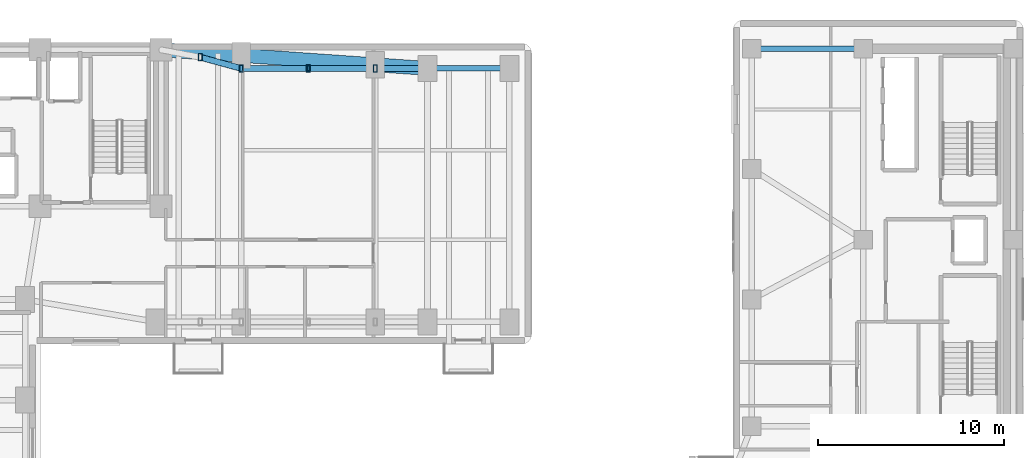
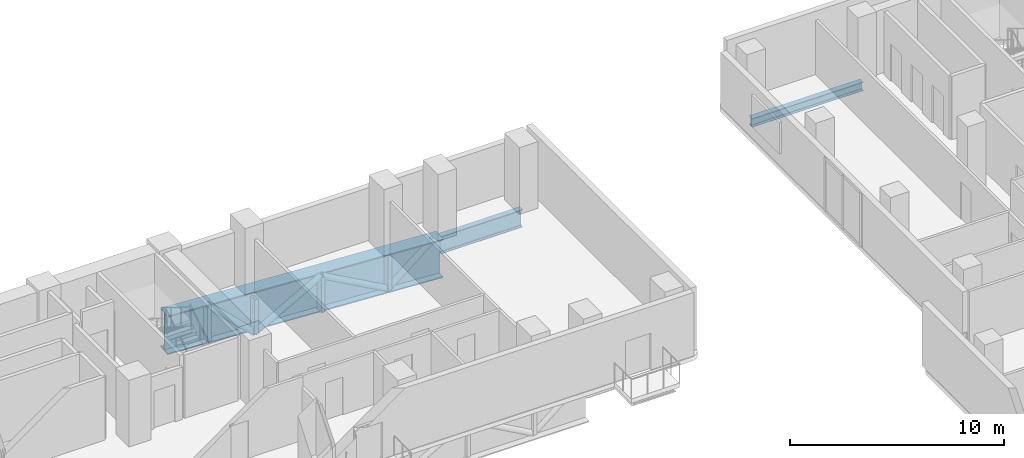
# One storey, part 6 of 15: 8 members, 3 beams.
"""IFC4 building model written with IfcOpenShell, lengths in metres."""

from ifc_helpers import new_model, si_unit, direction, frame, origin, origin_2d, place, context, subcontext, project, spatial, hollow_rectangle, hollow_circle, i_section, extrude, material, material_profile, profile_set, type_object, element, save


model = new_model("IFC4")

# Units and contexts
model_context = context("Model", 3, precision=1e-05, world=origin(), true_north=direction((0.0, 1.0)))
body_context = subcontext(model_context, "Body", "Model", "MODEL_VIEW")
ifc_project = project(units=[si_unit("LENGTHUNIT", "METRE"), si_unit("AREAUNIT", "SQUARE_METRE"), si_unit("VOLUMEUNIT", "CUBIC_METRE"), si_unit("PLANEANGLEUNIT", "RADIAN"), si_unit("MASSUNIT", "GRAM", prefix="KILO")], contexts=[model_context])

# Site, building, storey
site_placement = place(None, origin())
site = spatial("IfcSite", under=ifc_project, at=site_placement, CompositionType="ELEMENT")
building_placement = place(site_placement, origin())
building = spatial("IfcBuilding", under=site, at=building_placement, Name="Kuzgunbayir Cultural Tower", CompositionType="ELEMENT")
storey_placement = place(building_placement, frame((0.0, 0.0, 39.800048828125)))
storey = spatial("IfcBuildingStorey", under=building, at=storey_placement, Name="L10", CompositionType="ELEMENT", Elevation=39.800048828125)

# Beams
ifc_material_1 = material(Name="Steel S460M", Category="steel")
ifc_material_profile_1 = material_profile(ifc_material_1, i_section(OverallWidth=0.300048828125, OverallDepth=1.0, WebThickness=0.01904296875, FlangeThickness=0.035888671875, FilletRadius=0.030029296875, at=origin_2d()), Name="HEB 1000")
ifc_profile_set_1 = profile_set([ifc_material_profile_1], Name="Steel S460M")
beam_type_1 = type_object("IfcBeamType", Name="BM-GIR-HEB1000", PredefinedType="BEAM", material=ifc_profile_set_1)
beam_1_placement = place(storey_placement, frame((41.199951171875, 41.199951171875, -0.739990234375), z_axis=(1.0, 0.0, 0.0), x_axis=(0.0, 1.0, 0.0)))
element("IfcBeam", 1, at=beam_1_placement, inside=storey, type_object=beam_type_1, Name="L10 Portal Pier North Girder", PredefinedType="BEAM", context=body_context, shape_type="SweptSolid", body=[
    extrude(i_section(OverallWidth=0.300048828125, OverallDepth=1.0, WebThickness=0.01904296875, FlangeThickness=0.035888671875, FilletRadius=0.030029296875, at=origin_2d()), origin(), (0.0, 0.0, 1.0), 4.400146484375),
])
ifc_material_2 = material(Name="Steel S355J2", Category="steel")
ifc_material_profile_2 = material_profile(ifc_material_2, i_section(OverallWidth=0.300048828125, OverallDepth=0.5, WebThickness=0.014404296875, FlangeThickness=0.028076171875, FilletRadius=0.027099609375, at=origin_2d()), Name="HEB 500")
ifc_profile_set_2 = profile_set([ifc_material_profile_2], Name="Steel S355J2")
beam_type_2 = type_object("IfcBeamType", Name="BM-GIR-HEB500", PredefinedType="BEAM", material=ifc_profile_set_2)
beam_2_placement = place(storey_placement, frame((58.60009765625, 42.25, -0.489990234375), z_axis=(1.0, 0.0, 0.0), x_axis=(0.0, 1.0, 0.0)))
element("IfcBeam", 2, at=beam_2_placement, inside=storey, type_object=beam_type_2, Name="L10 Companion Transverse Girder 4", PredefinedType="BEAM", context=body_context, shape_type="SweptSolid", body=[
    extrude(i_section(OverallWidth=0.300048828125, OverallDepth=0.5, WebThickness=0.014404296875, FlangeThickness=0.028076171875, FilletRadius=0.027099609375, at=origin_2d()), origin(), (0.0, 0.0, 1.0), 6.0),
])
ifc_material_profile_3 = material_profile(ifc_material_1, i_section(OverallWidth=0.75, OverallDepth=2.199951171875, WebThickness=0.0400390625, FlangeThickness=0.06005859375, at=origin_2d()), Name="PG 2200x750x40x60")
ifc_profile_set_3 = profile_set([ifc_material_profile_3], Name="Steel S460M")
beam_type_3 = type_object("IfcBeamType", Name="BM-TR-PG2200", PredefinedType="BEAM", material=ifc_profile_set_3)
beam_3_placement = place(storey_placement, frame((26.89990234375, 42.199951171875, -1.340087890625), z_axis=(0.997563840671, -0.06975947094, 0.0), x_axis=(0.06975947094, 0.997563840671, 0.0)))
element("IfcBeam", 3, at=beam_3_placement, inside=storey, type_object=beam_type_3, Name="L10 Void-Portal North Transfer Girder", PredefinedType="BEAM", context=body_context, shape_type="SweptSolid", body=[
    extrude(i_section(OverallWidth=0.75, OverallDepth=2.199951171875, WebThickness=0.0400390625, FlangeThickness=0.06005859375, at=origin_2d()), origin(), (0.0, 0.0, 1.0), 14.3349609375),
])

# Members
ifc_material_profile_4 = material_profile(ifc_material_1, hollow_circle(Radius=0.161865234375, WallThickness=0.01611328125, at=origin_2d()), Name="CHS 323.9x16")
ifc_profile_set_4 = profile_set([ifc_material_profile_4], Name="Steel S460M")
member_type_1 = type_object("IfcMemberType", Name="MEM-PRT-CHS324", PredefinedType="BRACE", material=ifc_profile_set_4)
member_1_placement = place(storey_placement, frame((29.0, 41.800048828125, -0.300048828125), z_axis=(0.725306271614, -0.197847388262, -0.659383972596), x_axis=(0.263162701705, 0.964751466665, 0.0)))
element("IfcMember", 4, at=member_1_placement, inside=storey, type_object=member_type_1, Name="L10 Void-Portal Bridge Truss Diagonal 7", PredefinedType="BRACE", context=body_context, shape_type="SweptSolid", body=[
    extrude(hollow_circle(Radius=0.161865234375, WallThickness=0.01611328125, at=origin_2d()), origin(), (0.0, 0.0, 1.0), 3.033203125),
])
member_2_placement = place(storey_placement, frame((31.199951171875, 41.199951171875, -2.300048828125), z_axis=(0.874162868644, 0.0, 0.485632864501), x_axis=(0.0, 1.0, 0.0)))
element("IfcMember", 5, at=member_2_placement, inside=storey, type_object=member_type_1, Name="L10 Void-Portal Bridge Truss Diagonal 8", PredefinedType="BRACE", context=body_context, shape_type="SweptSolid", body=[
    extrude(hollow_circle(Radius=0.161865234375, WallThickness=0.01611328125, at=origin_2d()), origin(), (0.0, 0.0, 1.0), 4.118408203125),
])
member_3_placement = place(storey_placement, frame((34.800048828125, 41.199951171875, -0.300048828125), z_axis=(0.874148886685, 0.0, -0.485658031857), x_axis=(0.0, 1.0, 0.0)))
element("IfcMember", 6, at=member_3_placement, inside=storey, type_object=member_type_1, Name="L10 Void-Portal Bridge Truss Diagonal 9", PredefinedType="BRACE", context=body_context, shape_type="SweptSolid", body=[
    extrude(hollow_circle(Radius=0.161865234375, WallThickness=0.01611328125, at=origin_2d()), origin(), (0.0, 0.0, 1.0), 4.1181640625),
])
member_4_placement = place(storey_placement, frame((38.39990234375, 41.199951171875, -2.300048828125), z_axis=(0.774685894403, 0.0, 0.632346238237), x_axis=(0.0, 1.0, 0.0)))
element("IfcMember", 7, at=member_4_placement, inside=storey, type_object=member_type_1, Name="L10 Void-Portal Bridge Truss Diagonal 10", PredefinedType="BRACE", context=body_context, shape_type="SweptSolid", body=[
    extrude(hollow_circle(Radius=0.161865234375, WallThickness=0.01611328125, at=origin_2d()), origin(), (0.0, 0.0, 1.0), 3.162841796875),
])
ifc_material_profile_5 = material_profile(ifc_material_1, hollow_rectangle(XDim=0.199951171875, YDim=0.39990234375, WallThickness=0.01611328125, at=origin_2d()), Name="RHS 400x200x16")
ifc_profile_set_5 = profile_set([ifc_material_profile_5], Name="Steel S460M")
member_type_2 = type_object("IfcMemberType", Name="MEM-STR-RHS400", PredefinedType="STRUT", material=ifc_profile_set_5)
for number, where, z_axis, x_axis, name in (
    (8, (29.0, 41.800048828125, -2.300048828125), (0.0, 0.0, 1.0), (1.0, 0.0, 0.0), "L10 Portal Truss Vertical Web 29"),
    (9, (31.199951171875, 41.199951171875, -2.300048828125), (0.0, 0.0, 1.0), (1.0, 0.0, 0.0), "L10 Portal Truss Vertical Web 31"),
    (10, (34.800048828125, 41.199951171875, -2.300048828125), (0.0, 0.0, 1.0), (1.0, 0.0, 0.0), "L10 Portal Truss Vertical Web 34"),
    (11, (38.39990234375, 41.199951171875, -2.300048828125), (0.0, 0.0, 1.0), (1.0, 0.0, 0.0), "L10 Portal Truss Vertical Web 38"),
):
    element("IfcMember", number, at=place(storey_placement, frame(where, z_axis=z_axis, x_axis=x_axis)), inside=storey, type_object=member_type_2, Name=name, PredefinedType="STRUT", context=body_context, shape_type="SweptSolid", body=[
        extrude(hollow_rectangle(XDim=0.199951171875, YDim=0.39990234375, WallThickness=0.01611328125, at=origin_2d()), origin(), (0.0, 0.0, 1.0), 2.0),
    ])

save(model, "model.ifc")
